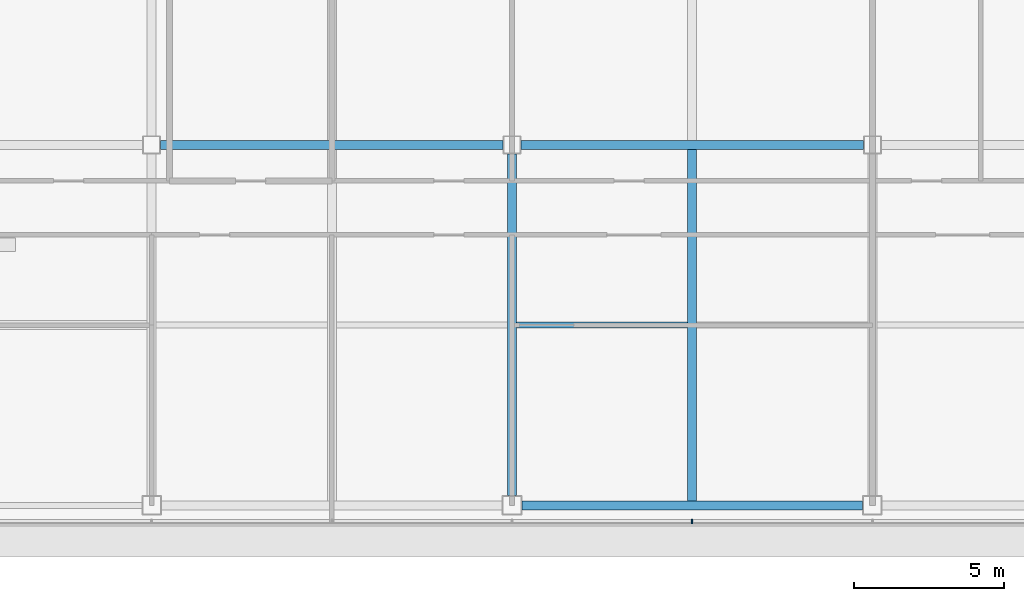
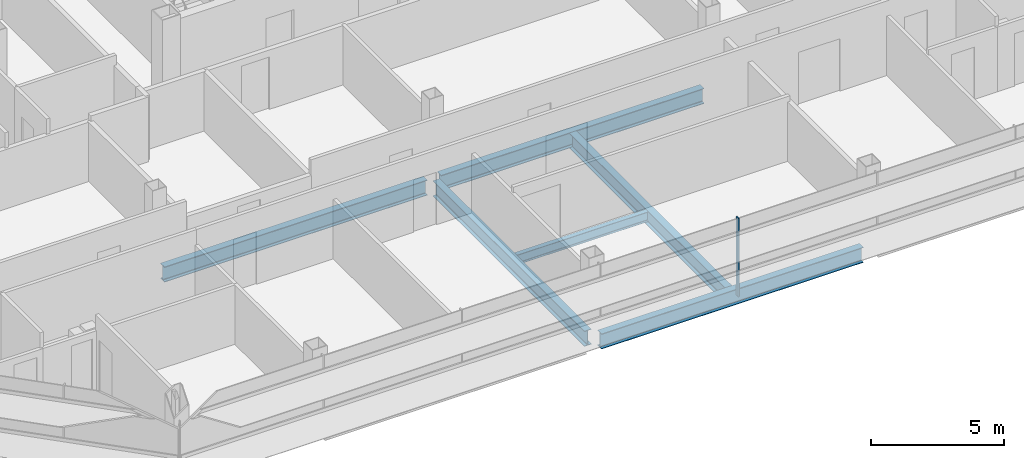
# One storey, part 3 of 26: 6 beams, 1 member, 1 element without a shape of its own.
"""IFC4 building model written with IfcOpenShell, lengths in metres."""

from ifc_helpers import new_model, si_unit, direction, frame, origin, origin_2d, place, context, subcontext, project, spatial, rectangle, i_section, extrude, material, material_profile, profile_set, type_object, element, aggregate, save


model = new_model("IFC4")

# Units and contexts
model_context = context("Model", 3, precision=1e-05, world=origin(), true_north=direction((0.0, 1.0)))
body_context = subcontext(model_context, "Body", "Model", "MODEL_VIEW")
ifc_project = project(units=[si_unit("LENGTHUNIT", "METRE"), si_unit("AREAUNIT", "SQUARE_METRE"), si_unit("VOLUMEUNIT", "CUBIC_METRE"), si_unit("PLANEANGLEUNIT", "RADIAN"), si_unit("MASSUNIT", "GRAM", prefix="KILO")], contexts=[model_context])

# Site, building, storey
site_placement = place(None, origin())
site = spatial("IfcSite", under=ifc_project, at=site_placement, CompositionType="ELEMENT")
building_placement = place(site_placement, origin())
building = spatial("IfcBuilding", under=site, at=building_placement, Name="Sorahane Residences", CompositionType="ELEMENT")
storey_placement = place(building_placement, frame((0.0, 0.0, 243.199951171875)))
storey = spatial("IfcBuildingStorey", under=building, at=storey_placement, Name="L57", CompositionType="ELEMENT", Elevation=243.199951171875)

# Curtain wall, member
ifc_material_1 = material(Name="Dark low-e glass and black anodised aluminium", Category="aluminium")
curtain_wall_type = type_object("IfcCurtainWallType", Name="Curtain wall CW-1 Typical unitised wall", PredefinedType="NOTDEFINED", material=ifc_material_1)
curtain_wall_placement = place(storey_placement, origin())
curtain_wall = element("IfcCurtainWall", 1, at=curtain_wall_placement, inside=storey, type_object=curtain_wall_type, Name="CW-1 curtain wall L57 S1", PredefinedType="NOTDEFINED")
ifc_material_2 = material(Name="Black anodised aluminium", Category="aluminium")
ifc_material_profile_1 = material_profile(ifc_material_2, rectangle(XDim=0.159912109375, YDim=0.050048828125, at=origin_2d()), Name="Curtain wall mullion CW-1 black anodised aluminium 50x160")
ifc_profile_set_1 = profile_set([ifc_material_profile_1], Name="Black anodised aluminium")
member_type = type_object("IfcMemberType", Name="Curtain wall mullion CW-1 black anodised aluminium 50x160", PredefinedType="MULLION", material=ifc_profile_set_1)
member_placement = place(storey_placement, frame((18.0, -0.5400390625, -0.179931640625), z_axis=(0.0, 0.0, 1.0), x_axis=(0.0, -1.0, 0.0)))
member = element("IfcMember", 2, at=member_placement, type_object=member_type, Name="CW-1 mullion L57 S1.5", PredefinedType="MULLION", context=body_context, shape_type="SweptSolid", body=[
    extrude(rectangle(XDim=0.159912109375, YDim=0.050048828125, at=origin_2d()), origin(), (0.0, 0.0, 1.0), 3.60009765625),
])
aggregate(curtain_wall, [member])

# Beams
ifc_material_3 = material(Name="Steel Q355B", Category="steel")
ifc_material_profile_2 = material_profile(ifc_material_3, i_section(OverallWidth=0.199951171875, OverallDepth=0.449951171875, WebThickness=0.009033203125, FlangeThickness=0.013916015625, FilletRadius=0.02001953125, at=origin_2d()), Name="HN 450x200x9x14")
ifc_profile_set_2 = profile_set([ifc_material_profile_2], Name="Steel Q355B")
beam_type_1 = type_object("IfcBeamType", Name="Steel floor beam HN 450x200x9x14 Q355B", PredefinedType="BEAM", material=ifc_profile_set_2)
beam_1_placement = place(storey_placement, frame((12.14990234375, 6.0, -0.405029296875), z_axis=(1.0, 0.0, 0.0), x_axis=(0.0, 1.0, 0.0)))
element("IfcBeam", 3, at=beam_1_placement, inside=storey, type_object=beam_type_1, Name="Beam L57 071", PredefinedType="BEAM", context=body_context, shape_type="SweptSolid", body=[
    extrude(i_section(OverallWidth=0.199951171875, OverallDepth=0.449951171875, WebThickness=0.009033203125, FlangeThickness=0.013916015625, FilletRadius=0.02001953125, at=origin_2d()), origin(), (0.0, 0.0, 1.0), 5.7001953125),
])
ifc_material_4 = material(Name="Steel Q355B", Category="steel")
ifc_material_profile_3 = material_profile(ifc_material_4, i_section(OverallWidth=0.300048828125, OverallDepth=0.699951171875, WebThickness=0.012939453125, FlangeThickness=0.02392578125, FilletRadius=0.028076171875, at=origin_2d()), Name="HN 700x300x13x24")
ifc_profile_set_3 = profile_set([ifc_material_profile_3], Name="Steel Q355B")
beam_type_2 = type_object("IfcBeamType", Name="Steel floor beam HN 700x300x13x24 Q355B", PredefinedType="BEAM", material=ifc_profile_set_3)
beam_2_placement = place(storey_placement, frame((12.324951171875, 0.0, -0.530029296875), z_axis=(1.0, 0.0, 0.0), x_axis=(0.0, 1.0, 0.0)))
element("IfcBeam", 4, at=beam_2_placement, inside=storey, type_object=beam_type_2, Name="Beam L57 002", PredefinedType="BEAM", context=body_context, shape_type="SweptSolid", body=[
    extrude(i_section(OverallWidth=0.300048828125, OverallDepth=0.699951171875, WebThickness=0.012939453125, FlangeThickness=0.02392578125, FilletRadius=0.028076171875, at=origin_2d()), origin(), (0.0, 0.0, 1.0), 11.35009765625),
])
for number, where, z_axis, x_axis, name in (
    (5, (0.300048828125, 12.0, -0.530029296875), (1.0, 0.0, 0.0), (0.0, 1.0, 0.0), "Beam L57 006"),
    (6, (12.300048828125, 12.0, -0.530029296875), (1.0, 0.0, 0.0), (0.0, 1.0, 0.0), "Beam L57 007"),
):
    element("IfcBeam", number, at=place(storey_placement, frame(where, z_axis=z_axis, x_axis=x_axis)), inside=storey, type_object=beam_type_2, Name=name, PredefinedType="BEAM", context=body_context, shape_type="SweptSolid", body=[
        extrude(i_section(OverallWidth=0.300048828125, OverallDepth=0.699951171875, WebThickness=0.012939453125, FlangeThickness=0.02392578125, FilletRadius=0.028076171875, at=origin_2d()), origin(), (0.0, 0.0, 1.0), 11.39990234375),
    ])
beam_3_placement = place(storey_placement, frame((12.0, 0.324951171875, -0.530029296875), z_axis=(0.0, 1.0, 0.0), x_axis=(-1.0, 0.0, 0.0)))
element("IfcBeam", 7, at=beam_3_placement, inside=storey, type_object=beam_type_2, Name="Beam L57 034", PredefinedType="BEAM", context=body_context, shape_type="SweptSolid", body=[
    extrude(i_section(OverallWidth=0.300048828125, OverallDepth=0.699951171875, WebThickness=0.012939453125, FlangeThickness=0.02392578125, FilletRadius=0.028076171875, at=origin_2d()), origin(), (0.0, 0.0, 1.0), 11.375),
])
beam_4_placement = place(storey_placement, frame((18.0, 0.14990234375, -0.530029296875), z_axis=(0.0, 1.0, 0.0), x_axis=(-1.0, 0.0, 0.0)))
element("IfcBeam", 8, at=beam_4_placement, inside=storey, type_object=beam_type_2, Name="Beam L57 036", PredefinedType="BEAM", context=body_context, shape_type="SweptSolid", body=[
    extrude(i_section(OverallWidth=0.300048828125, OverallDepth=0.699951171875, WebThickness=0.012939453125, FlangeThickness=0.02392578125, FilletRadius=0.028076171875, at=origin_2d()), origin(), (0.0, 0.0, 1.0), 11.7001953125),
])

save(model, "model.ifc")
